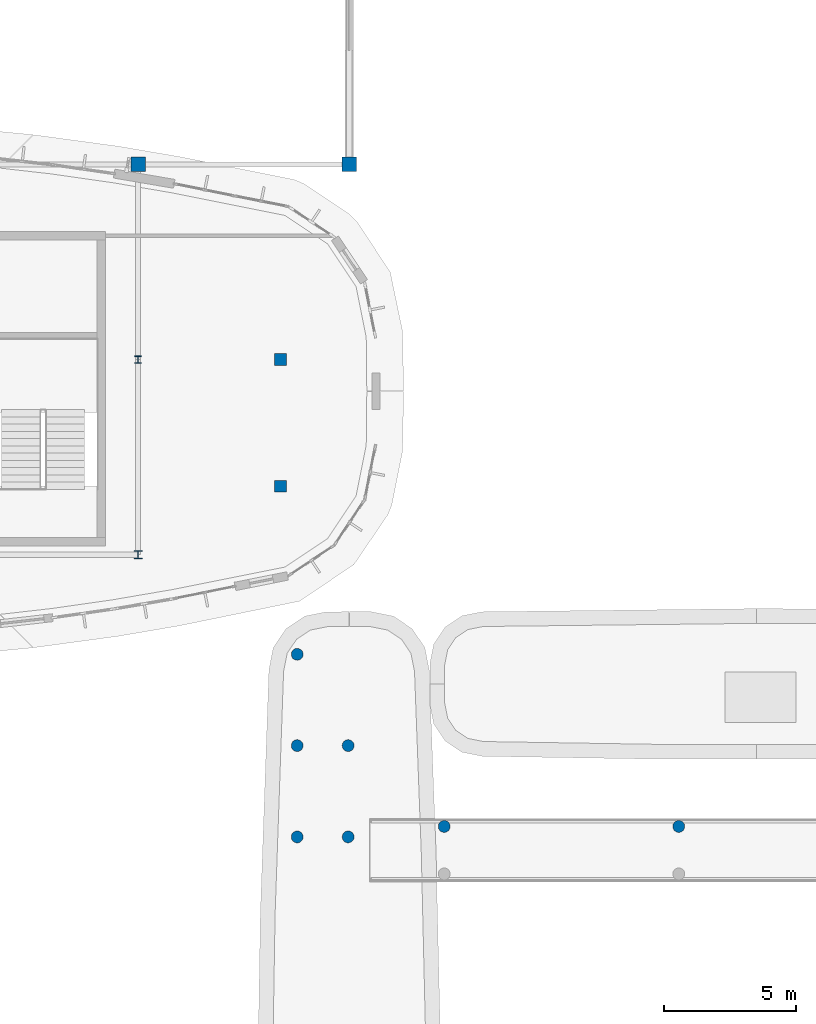
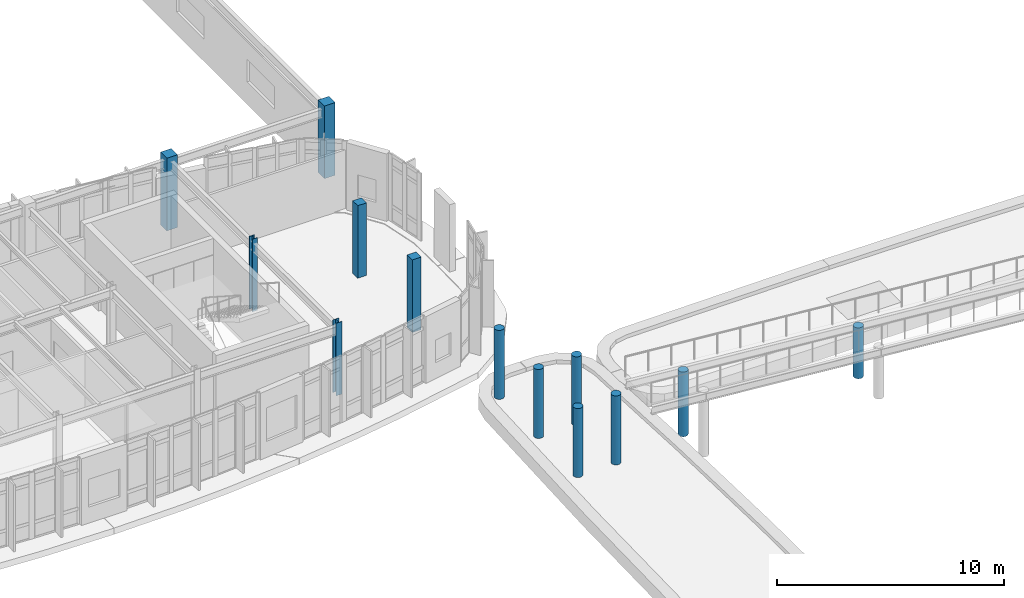
# One storey, part 7 of 111: 13 columns.
"""IFC4 building model written with IfcOpenShell, lengths in metres."""

from ifc_helpers import new_model, si_unit, direction, frame, origin, origin_2d, place, context, subcontext, project, spatial, rectangle, circle, i_section, extrude, material, material_profile, profile_set, type_object, element, save


model = new_model("IFC4")

# Units and contexts
model_context = context("Model", 3, precision=1e-05, world=origin(), true_north=direction((0.0, 1.0)))
body_context = subcontext(model_context, "Body", "Model", "MODEL_VIEW")
ifc_project = project(units=[si_unit("LENGTHUNIT", "METRE"), si_unit("AREAUNIT", "SQUARE_METRE"), si_unit("VOLUMEUNIT", "CUBIC_METRE"), si_unit("PLANEANGLEUNIT", "RADIAN"), si_unit("MASSUNIT", "GRAM", prefix="KILO")], contexts=[model_context])

# Site, building, storey
site_placement = place(None, origin())
site = spatial("IfcSite", under=ifc_project, at=site_placement, CompositionType="ELEMENT")
building_placement = place(site_placement, origin())
building = spatial("IfcBuilding", under=site, at=building_placement, Name="Corveleigh Park Community Centre", CompositionType="ELEMENT")
storey_placement = place(building_placement, frame((0.0, 0.0, 4.800048828125)))
storey = spatial("IfcBuildingStorey", under=building, at=storey_placement, Name="L01", CompositionType="ELEMENT", Elevation=4.800048828125)

# Columns
ifc_material_1 = material(Name="Concrete C40/50", Category="concrete")
ifc_material_profile_1 = material_profile(ifc_material_1, rectangle(XDim=0.449951171875, YDim=0.449951171875, at=origin_2d()), Name="RC-450x450", Category="concrete")
ifc_profile_set_1 = profile_set([ifc_material_profile_1], Name="Concrete C40/50")
column_type_1 = type_object("IfcColumnType", Name="COL-RC-450x450", PredefinedType="COLUMN", material=ifc_profile_set_1)
for number, where, z_axis, x_axis, name in (
    (1, (51.800048828125, 80.60009765625, 0.0), (0.0, 0.0, 1.0), (1.0, 0.0, 0.0), "Column V2-E4-1 L01"),
    (2, (51.800048828125, 85.39990234375, 0.0), (0.0, 0.0, 1.0), (1.0, 0.0, 0.0), "Column V2-E4-2 L01"),
):
    element("IfcColumn", number, at=place(storey_placement, frame(where, z_axis=z_axis, x_axis=x_axis)), inside=storey, type_object=column_type_1, Name=name, PredefinedType="COLUMN", context=body_context, shape_type="SweptSolid", body=[
        extrude(rectangle(XDim=0.449951171875, YDim=0.449951171875, at=origin_2d()), origin(), (0.0, 0.0, 1.0), 3.89990234375),
    ])
ifc_material_profile_2 = material_profile(ifc_material_1, rectangle(XDim=0.550048828125, YDim=0.550048828125, at=origin_2d()), Name="RC-550x550", Category="concrete")
ifc_profile_set_2 = profile_set([ifc_material_profile_2], Name="Concrete C40/50")
column_type_2 = type_object("IfcColumnType", Name="COL-RC-550x550", PredefinedType="COLUMN", material=ifc_profile_set_2)
for number, where, z_axis, x_axis, name in (
    (3, (46.39990234375, 92.800048828125, 0.0), (0.0, 0.0, 1.0), (1.0, 0.0, 0.0), "Column V2-HS6 L01"),
    (4, (54.39990234375, 92.800048828125, 0.0), (0.0, 0.0, 1.0), (1.0, 0.0, 0.0), "Column V2-HS7 L01"),
):
    element("IfcColumn", number, at=place(storey_placement, frame(where, z_axis=z_axis, x_axis=x_axis)), inside=storey, type_object=column_type_2, Name=name, PredefinedType="COLUMN", context=body_context, shape_type="SweptSolid", body=[
        extrude(rectangle(XDim=0.550048828125, YDim=0.550048828125, at=origin_2d()), origin(), (0.0, 0.0, 1.0), 3.89990234375),
    ])
ifc_material_profile_3 = material_profile(ifc_material_1, circle(Radius=0.22509765625, at=origin_2d()), Name="RC-450D", Category="concrete")
ifc_profile_set_3 = profile_set([ifc_material_profile_3], Name="Concrete C40/50")
column_type_3 = type_object("IfcColumnType", Name="COL-RCE-450D", PredefinedType="COLUMN", material=ifc_profile_set_3)
column_1_placement = place(storey_placement, frame((66.89990234375, 67.699951171875, 0.0), z_axis=(0.0, 0.0, 1.0), x_axis=(1.0, 0.0, 0.0)))
element("IfcColumn", 5, at=column_1_placement, inside=storey, type_object=column_type_3, Name="External deck support pier 105 L01", PredefinedType="COLUMN", context=body_context, shape_type="SweptSolid", body=[
    extrude(circle(Radius=0.22509765625, at=origin_2d()), origin(), (0.0, 0.0, 1.0), 2.72900390625),
])
column_2_placement = place(storey_placement, frame((58.008056640625, 67.699951171875, 0.0), z_axis=(0.0, 0.0, 1.0), x_axis=(1.0, 0.0, 0.0)))
element("IfcColumn", 6, at=column_2_placement, inside=storey, type_object=column_type_3, Name="External deck support pier 107 L01", PredefinedType="COLUMN", context=body_context, shape_type="SweptSolid", body=[
    extrude(circle(Radius=0.22509765625, at=origin_2d()), origin(), (0.0, 0.0, 1.0), 3.469970703125),
])
for number, where, z_axis, x_axis, name in (
    (7, (52.43408203125, 67.302978515625, 0.0), (0.0, 0.0, 1.0), (1.0, 0.0, 0.0), "External deck support pier 247 L01"),
    (8, (52.43408203125, 70.763916015625, 0.0), (0.0, 0.0, 1.0), (1.0, 0.0, 0.0), "External deck support pier 248 L01"),
    (9, (52.43408203125, 74.22509765625, 0.0), (0.0, 0.0, 1.0), (1.0, 0.0, 0.0), "External deck support pier 249 L01"),
    (10, (54.365966796875, 67.302978515625, 0.0), (0.0, 0.0, 1.0), (1.0, 0.0, 0.0), "External deck support pier 250 L01"),
    (11, (54.365966796875, 70.763916015625, 0.0), (0.0, 0.0, 1.0), (1.0, 0.0, 0.0), "External deck support pier 251 L01"),
):
    element("IfcColumn", number, at=place(storey_placement, frame(where, z_axis=z_axis, x_axis=x_axis)), inside=storey, type_object=column_type_3, Name=name, PredefinedType="COLUMN", context=body_context, shape_type="SweptSolid", body=[
        extrude(circle(Radius=0.22509765625, at=origin_2d()), origin(), (0.0, 0.0, 1.0), 3.703857421875),
    ])
ifc_material_2 = material(Name="Steel S355", Category="steel")
ifc_material_profile_4 = material_profile(ifc_material_2, i_section(OverallWidth=0.26123046875, OverallDepth=0.2763671875, WebThickness=0.015380859375, FlangeThickness=0.025390625, at=origin_2d()), Name="UKC 254x254x132", Category="steel")
ifc_profile_set_4 = profile_set([ifc_material_profile_4], Name="Steel S355")
column_type_4 = type_object("IfcColumnType", Name="COL-STL-UKC254x132", PredefinedType="COLUMN", material=ifc_profile_set_4)
column_3_placement = place(storey_placement, frame((46.39990234375, 85.39990234375, 0.0), z_axis=(0.0, 0.0, 1.0), x_axis=(1.0, 0.0, 0.0)))
element("IfcColumn", 12, at=column_3_placement, inside=storey, type_object=column_type_4, Name="Column V2-ST-X5Y1 L01", PredefinedType="COLUMN", context=body_context, shape_type="SweptSolid", body=[
    extrude(i_section(OverallWidth=0.26123046875, OverallDepth=0.2763671875, WebThickness=0.015380859375, FlangeThickness=0.025390625, at=origin_2d()), origin(), (0.0, 0.0, 1.0), 3.89990234375),
])
ifc_material_profile_5 = material_profile(ifc_material_2, i_section(OverallWidth=0.305419921875, OverallDepth=0.307861328125, WebThickness=0.010009765625, FlangeThickness=0.015380859375, at=origin_2d()), Name="UKC 305x305x97", Category="steel")
ifc_profile_set_5 = profile_set([ifc_material_profile_5], Name="Steel S355")
column_type_5 = type_object("IfcColumnType", Name="COL-STL-UKC305x97", PredefinedType="COLUMN", material=ifc_profile_set_5)
column_4_placement = place(storey_placement, frame((46.39990234375, 78.0, 0.0), z_axis=(0.0, 0.0, 1.0), x_axis=(1.0, 0.0, 0.0)))
element("IfcColumn", 13, at=column_4_placement, inside=storey, type_object=column_type_5, Name="Column V2-ST-X5Y0 L01", PredefinedType="COLUMN", context=body_context, shape_type="SweptSolid", body=[
    extrude(i_section(OverallWidth=0.305419921875, OverallDepth=0.307861328125, WebThickness=0.010009765625, FlangeThickness=0.015380859375, at=origin_2d()), origin(), (0.0, 0.0, 1.0), 3.89990234375),
])

save(model, "model.ifc")
